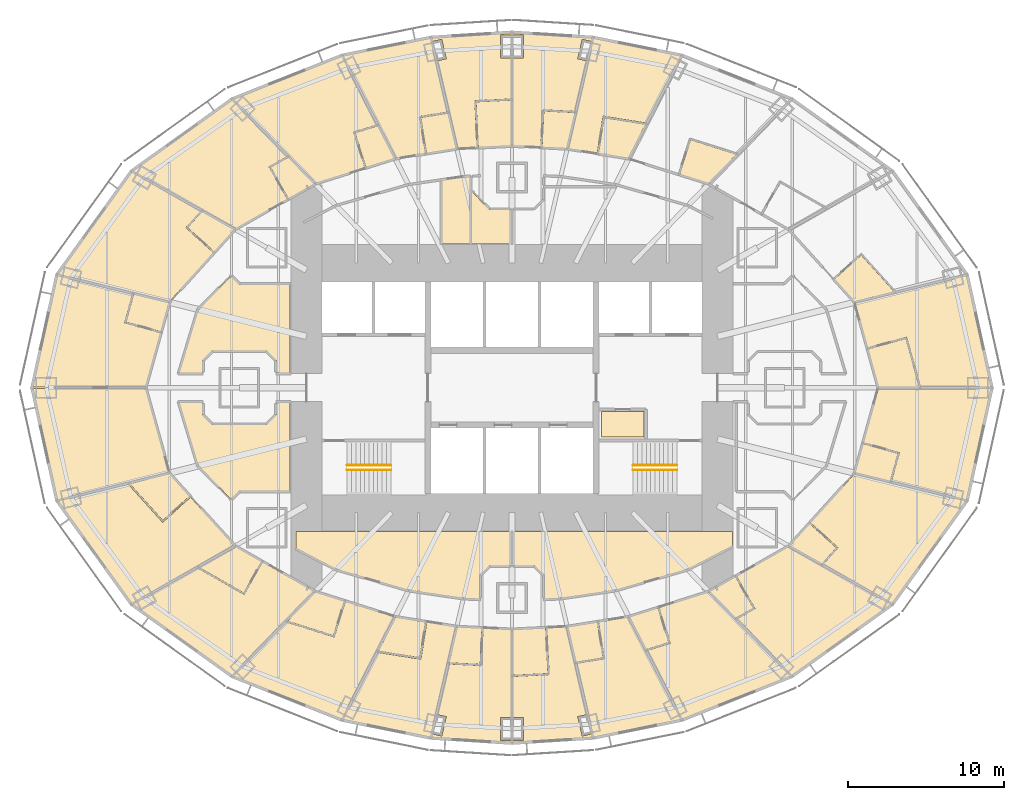
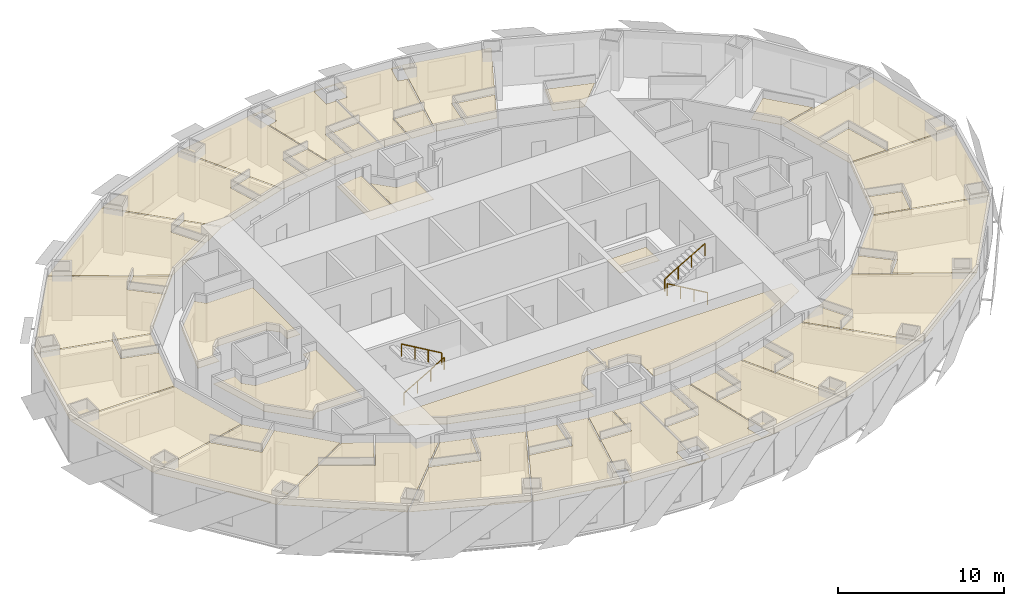
# One storey, part 16 of 17: 50 coverings, 4 railings.
"""IFC4 building model written with IfcOpenShell, lengths in metres."""

from ifc_helpers import new_model, si_unit, direction, frame, origin, origin_2d, place, context, subcontext, project, spatial, polyline, circle, outline, extrude, material, layer, layer_set, type_object, element, save


model = new_model("IFC4")

# Units and contexts
model_context = context("Model", 3, precision=1e-05, world=origin(), true_north=direction((0.0, 1.0)))
body_context = subcontext(model_context, "Body", "Model", "MODEL_VIEW")
ifc_project = project(units=[si_unit("LENGTHUNIT", "METRE"), si_unit("AREAUNIT", "SQUARE_METRE"), si_unit("VOLUMEUNIT", "CUBIC_METRE"), si_unit("PLANEANGLEUNIT", "RADIAN"), si_unit("MASSUNIT", "GRAM", prefix="KILO")], contexts=[model_context])

# Site, building, storey
site_placement = place(None, origin())
site = spatial("IfcSite", under=ifc_project, at=site_placement, CompositionType="ELEMENT")
building_placement = place(site_placement, origin())
building = spatial("IfcBuilding", under=site, at=building_placement, Name="Lantaw Convention Tower", CompositionType="ELEMENT")
storey_placement = place(building_placement, frame((0.0, 0.0, 37.0)))
storey = spatial("IfcBuildingStorey", under=building, at=storey_placement, Name="L06", CompositionType="ELEMENT", Elevation=37.0)

# Railings
ifc_material_1 = material(Name="Stainless steel", Category="steel")
railing_type = type_object("IfcRailingType", Name="Stair handrail", PredefinedType="HANDRAIL", material=ifc_material_1)
railing_1_placement = place(storey_placement, frame((-10.580078125, -5.280029296875, 0.16357421875)))
element("IfcRailing", 1, at=railing_1_placement, inside=storey, type_object=railing_type, Name="Stair handrail S1", PredefinedType="HANDRAIL", context=body_context, shape_type="SweptSolid", body=[
    extrude(circle(Radius=0.02392578125, at=origin_2d()), frame((0.0, 0.0, 0.8759765625), z_axis=(0.863360870873, 0.0, 0.504586966384), x_axis=(0.0, 1.0, 0.0)), (0.0, 0.0, 1.0), 3.2431640625),
    extrude(circle(Radius=0.02099609375, at=origin_2d()), origin(), (0.0, 0.0, 1.0), 0.851806640625),
    extrude(circle(Radius=0.02099609375, at=origin_2d()), frame((0.933349609375, 0.0, 0.54541015625)), (0.0, 0.0, 1.0), 0.851806640625),
    extrude(circle(Radius=0.02099609375, at=origin_2d()), frame((1.86669921875, 0.0, 1.091064453125)), (0.0, 0.0, 1.0), 0.851806640625),
    extrude(circle(Radius=0.02099609375, at=origin_2d()), frame((2.800048828125, 0.0, 1.636474609375)), (0.0, 0.0, 1.0), 0.851806640625),
])
for number, where, name in (
    (2, (-7.780029296875, -4.97998046875, 1.963623046875), "Stair handrail S1"),
    (3, (10.580078125, -5.280029296875, 0.16357421875), "Stair handrail S2"),
):
    element("IfcRailing", number, at=place(storey_placement, frame(where)), inside=storey, type_object=railing_type, Name=name, PredefinedType="HANDRAIL", context=body_context, shape_type="SweptSolid", body=[
        extrude(circle(Radius=0.02392578125, at=origin_2d()), frame((0.0, 0.0, 0.8759765625), z_axis=(-0.863360870873, 0.0, 0.504586966384), x_axis=(0.0, -1.0, 0.0)), (0.0, 0.0, 1.0), 3.2431640625),
        extrude(circle(Radius=0.02099609375, at=origin_2d()), origin(), (0.0, 0.0, 1.0), 0.851806640625),
        extrude(circle(Radius=0.02099609375, at=origin_2d()), frame((-0.933349609375, 0.0, 0.54541015625)), (0.0, 0.0, 1.0), 0.851806640625),
        extrude(circle(Radius=0.02099609375, at=origin_2d()), frame((-1.86669921875, 0.0, 1.091064453125)), (0.0, 0.0, 1.0), 0.851806640625),
        extrude(circle(Radius=0.02099609375, at=origin_2d()), frame((-2.800048828125, 0.0, 1.636474609375)), (0.0, 0.0, 1.0), 0.851806640625),
    ])
railing_2_placement = place(storey_placement, frame((7.780029296875, -4.97998046875, 1.963623046875)))
element("IfcRailing", 4, at=railing_2_placement, inside=storey, type_object=railing_type, Name="Stair handrail S2", PredefinedType="HANDRAIL", context=body_context, shape_type="SweptSolid", body=[
    extrude(circle(Radius=0.02392578125, at=origin_2d()), frame((0.0, 0.0, 0.8759765625), z_axis=(0.863360870873, 0.0, 0.504586966384), x_axis=(0.0, 1.0, 0.0)), (0.0, 0.0, 1.0), 3.2431640625),
    extrude(circle(Radius=0.02099609375, at=origin_2d()), origin(), (0.0, 0.0, 1.0), 0.851806640625),
    extrude(circle(Radius=0.02099609375, at=origin_2d()), frame((0.933349609375, 0.0, 0.54541015625)), (0.0, 0.0, 1.0), 0.851806640625),
    extrude(circle(Radius=0.02099609375, at=origin_2d()), frame((1.86669921875, 0.0, 1.091064453125)), (0.0, 0.0, 1.0), 0.851806640625),
    extrude(circle(Radius=0.02099609375, at=origin_2d()), frame((2.800048828125, 0.0, 1.636474609375)), (0.0, 0.0, 1.0), 0.851806640625),
])

# Coverings
ifc_material_2 = material(Name="Gypsum board on steel suspension grid", Category="steel")
ifc_layer = layer(ifc_material_2, 0.02001953125)
ifc_layer_set = layer_set([ifc_layer], Name="Suspended ceiling")
covering_type = type_object("IfcCoveringType", Name="Suspended ceiling", PredefinedType="CEILING", material=ifc_layer_set)
covering_1_placement = place(storey_placement, frame((0.0, 0.0, 2.85009765625)))
element("IfcCovering", 5, at=covering_1_placement, inside=storey, type_object=covering_type, Name="Staff WC ceiling", PredefinedType="CEILING", context=body_context, shape_type="SweptSolid", body=[
    extrude(outline(polyline([(5.739990234375, -3.159912109375), (8.4599609375, -3.159912109375), (8.4599609375, -1.5400390625), (5.739990234375, -1.5400390625), (5.739990234375, -3.159912109375)])), origin(), (0.0, 0.0, 1.0), 0.02001953125),
])
covering_2_placement = place(storey_placement, frame((0.0, 0.0, 2.85009765625)))
element("IfcCovering", 6, at=covering_2_placement, inside=storey, type_object=covering_type, Name="Accessible WC ceiling", PredefinedType="CEILING", context=body_context, shape_type="SweptSolid", body=[
    extrude(outline(polyline([(-2.610107421875, 9.239990234375), (-0.114990234375, 9.239990234375), (-0.114990234375, 11.43505859375), (-1.441162109375, 11.43505859375), (-2.06494140625, 12.058837890625), (-2.06494140625, 12.071044921875), (-2.610107421875, 12.615234375), (-2.610107421875, 9.239990234375)])), origin(), (0.0, 0.0, 1.0), 0.02001953125),
])
covering_3_placement = place(storey_placement, frame((0.0, 0.0, 2.85009765625)))
element("IfcCovering", 7, at=covering_3_placement, inside=storey, type_object=covering_type, Name="Staff WC ceiling", PredefinedType="CEILING", context=body_context, shape_type="SweptSolid", body=[
    extrude(outline(polyline([(-2.68994140625, 13.536865234375), (-3.1259765625, 13.516845703125), (-4.510009765625, 13.314208984375), (-4.510009765625, 9.239990234375), (-2.68994140625, 9.239990234375), (-2.68994140625, 13.536865234375)])), origin(), (0.0, 0.0, 1.0), 0.02001953125),
])
covering_4_placement = place(storey_placement, frame((0.0, 0.0, 2.85009765625)))
element("IfcCovering", 8, at=covering_4_placement, inside=storey, type_object=covering_type, Name="Housekeeping room ceiling", PredefinedType="CEILING", context=body_context, shape_type="SweptSolid", body=[
    extrude(outline(polyline([(-15.135009765625, 0.93994140625), (-14.239990234375, 0.93994140625), (-14.239990234375, 6.635009765625), (-17.4912109375, 6.635009765625), (-18.02490234375, 7.168701171875), (-20.147705078125, 5.01123046875), (-21.374755859375, 0.93994140625), (-19.864990234375, 0.93994140625), (-19.864990234375, 1.7412109375), (-19.2412109375, 2.364990234375), (-15.7587890625, 2.364990234375), (-15.135009765625, 1.7412109375), (-15.135009765625, 0.93994140625)])), origin(), (0.0, 0.0, 1.0), 0.02001953125),
])
covering_5_placement = place(storey_placement, frame((0.0, 0.0, 2.85009765625)))
element("IfcCovering", 9, at=covering_5_placement, inside=storey, type_object=covering_type, Name="Staff locker room ceiling", PredefinedType="CEILING", context=body_context, shape_type="SweptSolid", body=[
    extrude(outline(polyline([(-11.281005859375, -11.66015625), (-6.63671875, -13.002685546875), (-3.1259765625, -13.516845703125), (-2.06494140625, -13.5654296875), (-2.06494140625, -12.058837890625), (-1.441162109375, -11.43505859375), (-0.0400390625, -11.43505859375), (-0.0400390625, -9.239990234375), (-13.860107421875, -9.239990234375), (-13.860107421875, -10.312744140625), (-11.281005859375, -11.66015625)])), origin(), (0.0, 0.0, 1.0), 0.02001953125),
])
covering_6_placement = place(storey_placement, frame((0.0, 0.0, 2.85009765625)))
element("IfcCovering", 10, at=covering_6_placement, inside=storey, type_object=covering_type, Name="Staff room ceiling", PredefinedType="CEILING", context=body_context, shape_type="SweptSolid", body=[
    extrude(outline(polyline([(-21.374755859375, -0.93994140625), (-20.147705078125, -5.01123046875), (-18.02490234375, -7.168701171875), (-17.4912109375, -6.635009765625), (-14.239990234375, -6.635009765625), (-14.239990234375, -0.93994140625), (-15.135009765625, -0.93994140625), (-15.135009765625, -1.7412109375), (-15.7587890625, -2.364990234375), (-19.2412109375, -2.364990234375), (-19.864990234375, -1.7412109375), (-19.864990234375, -0.93994140625), (-21.374755859375, -0.93994140625)])), origin(), (0.0, 0.0, 1.0), 0.02001953125),
])
covering_7_placement = place(storey_placement, frame((0.0, 0.0, 2.85009765625)))
element("IfcCovering", 11, at=covering_7_placement, inside=storey, type_object=covering_type, Name="Guest ice and vending room ceiling", PredefinedType="CEILING", context=body_context, shape_type="SweptSolid", body=[
    extrude(outline(polyline([(2.06494140625, -13.5654296875), (3.1259765625, -13.516845703125), (6.63671875, -13.002685546875), (11.281005859375, -11.66015625), (14.159912109375, -10.156005859375), (14.159912109375, -9.239990234375), (0.0400390625, -9.239990234375), (0.0400390625, -11.43505859375), (1.441162109375, -11.43505859375), (2.06494140625, -12.058837890625), (2.06494140625, -13.5654296875)])), origin(), (0.0, 0.0, 1.0), 0.02001953125),
])
covering_8_placement = place(storey_placement, frame((0.0, 0.0, 2.85009765625)))
element("IfcCovering", 12, at=covering_8_placement, inside=storey, type_object=covering_type, Name="Accessible bathroom ceiling", PredefinedType="CEILING", context=body_context, shape_type="SweptSolid", body=[
    extrude(outline(polyline([(23.530517578125, 0.0400390625), (26.145263671875, 0.0400390625), (25.28369140625, 3.150390625), (22.855224609375, 2.477783203125), (23.530517578125, 0.0400390625)])), origin(), (0.0, 0.0, 1.0), 0.02001953125),
])
covering_9_placement = place(storey_placement, frame((0.0, 0.0, 2.85009765625)))
element("IfcCovering", 13, at=covering_9_placement, inside=storey, type_object=covering_type, Name="Accessible guest room ceiling", PredefinedType="CEILING", context=body_context, shape_type="SweptSolid", body=[
    extrude(outline(polyline([(22.031494140625, 5.45166015625), (22.833740234375, 2.554931640625), (25.33935546875, 3.2490234375), (26.228271484375, 0.0400390625), (30.77099609375, 0.0400390625), (29.191650390625, 7.205078125), (22.031494140625, 5.45166015625)])), origin(), (0.0, 0.0, 1.0), 0.02001953125),
])
covering_10_placement = place(storey_placement, frame((0.0, 0.0, 2.85009765625)))
element("IfcCovering", 14, at=covering_10_placement, inside=storey, type_object=covering_type, Name="Guest bathroom ceiling", PredefinedType="CEILING", context=body_context, shape_type="SweptSolid", body=[
    extrude(outline(polyline([(21.995361328125, 5.525390625), (24.547607421875, 6.16162109375), (22.418212890625, 8.517333984375), (20.697265625, 6.96142578125), (21.995361328125, 5.525390625)])), origin(), (0.0, 0.0, 1.0), 0.02001953125),
])
covering_11_placement = place(storey_placement, frame((0.0, 0.0, 2.85009765625)))
element("IfcCovering", 15, at=covering_11_placement, inside=storey, type_object=covering_type, Name="Guest bathroom ceiling", PredefinedType="CEILING", context=body_context, shape_type="SweptSolid", body=[
    extrude(outline(polyline([(12.61328125, 13.118896484375), (14.4140625, 14.98388671875), (11.464599609375, 15.913330078125), (10.767333984375, 13.700439453125), (12.61328125, 13.118896484375)])), origin(), (0.0, 0.0, 1.0), 0.02001953125),
])
covering_12_placement = place(storey_placement, frame((0.0, 0.0, 2.85009765625)))
element("IfcCovering", 16, at=covering_12_placement, inside=storey, type_object=covering_type, Name="Guest bathroom ceiling", PredefinedType="CEILING", context=body_context, shape_type="SweptSolid", body=[
    extrude(outline(polyline([(7.4638671875, 14.736572265625), (8.57080078125, 16.9091796875), (5.923095703125, 17.332275390625), (5.55712890625, 15.041259765625), (7.4638671875, 14.736572265625)])), origin(), (0.0, 0.0, 1.0), 0.02001953125),
])
covering_13_placement = place(storey_placement, frame((0.0, 0.0, 2.85009765625)))
element("IfcCovering", 17, at=covering_13_placement, inside=storey, type_object=covering_type, Name="Guest room ceiling", PredefinedType="CEILING", context=body_context, shape_type="SweptSolid", body=[
    extrude(outline(polyline([(5.240966796875, 22.448974609375), (3.58642578125, 15.356201171875), (5.46630859375, 15.0556640625), (5.8466796875, 17.4375), (8.6259765625, 16.993408203125), (10.85205078125, 21.31689453125), (5.240966796875, 22.448974609375)])), origin(), (0.0, 0.0, 1.0), 0.02001953125),
])
covering_14_placement = place(storey_placement, frame((0.0, 0.0, 2.85009765625)))
element("IfcCovering", 18, at=covering_14_placement, inside=storey, type_object=covering_type, Name="Guest bathroom ceiling", PredefinedType="CEILING", context=body_context, shape_type="SweptSolid", body=[
    extrude(outline(polyline([(3.50634765625, 15.364990234375), (4.036376953125, 17.661376953125), (2.04736328125, 17.7607421875), (1.931640625, 15.443603515625), (3.50634765625, 15.364990234375)])), origin(), (0.0, 0.0, 1.0), 0.02001953125),
])
covering_15_placement = place(storey_placement, frame((0.0, 0.0, 2.85009765625)))
element("IfcCovering", 19, at=covering_15_placement, inside=storey, type_object=covering_type, Name="Guest room ceiling", PredefinedType="CEILING", context=body_context, shape_type="SweptSolid", body=[
    extrude(outline(polyline([(0.0400390625, 21.159912109375), (0.0400390625, 15.5380859375), (1.851806640625, 15.447509765625), (1.971435546875, 17.844482421875), (4.060302734375, 17.740234375), (4.816162109375, 20.98046875), (4.21875, 21.118408203125), (4.506591796875, 22.365478515625), (5.10693359375, 22.22705078125), (5.1611328125, 22.458984375), (0.0400390625, 22.781982421875), (0.0400390625, 22.639892578125), (0.739990234375, 22.639892578125), (0.739990234375, 21.159912109375), (0.0400390625, 21.159912109375)])), origin(), (0.0, 0.0, 1.0), 0.02001953125),
])
covering_16_placement = place(storey_placement, frame((0.0, 0.0, 2.85009765625)))
element("IfcCovering", 20, at=covering_16_placement, inside=storey, type_object=covering_type, Name="Accessible bathroom ceiling", PredefinedType="CEILING", context=body_context, shape_type="SweptSolid", body=[
    extrude(outline(polyline([(-0.0400390625, 15.5380859375), (-0.0400390625, 18.461669921875), (-2.304931640625, 18.3486328125), (-2.159423828125, 15.43212890625), (-0.0400390625, 15.5380859375)])), origin(), (0.0, 0.0, 1.0), 0.02001953125),
])
covering_17_placement = place(storey_placement, frame((0.0, 0.0, 2.85009765625)))
element("IfcCovering", 21, at=covering_17_placement, inside=storey, type_object=covering_type, Name="Accessible guest room ceiling", PredefinedType="CEILING", context=body_context, shape_type="SweptSolid", body=[
    extrude(outline(polyline([(-4.816162109375, 20.98046875), (-3.50634765625, 15.364990234375), (-2.2392578125, 15.42822265625), (-2.388916015625, 18.424560546875), (-0.0400390625, 18.541748046875), (-0.0400390625, 21.159912109375), (-0.739990234375, 21.159912109375), (-0.739990234375, 22.639892578125), (-0.0400390625, 22.639892578125), (-0.0400390625, 22.781982421875), (-5.1611328125, 22.458984375), (-5.10693359375, 22.22705078125), (-4.506591796875, 22.365478515625), (-4.21875, 21.118408203125), (-4.816162109375, 20.98046875)])), origin(), (0.0, 0.0, 1.0), 0.02001953125),
])
covering_18_placement = place(storey_placement, frame((0.0, 0.0, 2.85009765625)))
element("IfcCovering", 22, at=covering_18_placement, inside=storey, type_object=covering_type, Name="Guest bathroom ceiling", PredefinedType="CEILING", context=body_context, shape_type="SweptSolid", body=[
    extrude(outline(polyline([(-3.586181640625, 15.356201171875), (-4.109375, 17.621826171875), (-5.845458984375, 17.344482421875), (-5.4794921875, 15.0537109375), (-3.586181640625, 15.356201171875)])), origin(), (0.0, 0.0, 1.0), 0.02001953125),
])
covering_19_placement = place(storey_placement, frame((0.0, 0.0, 2.85009765625)))
element("IfcCovering", 23, at=covering_19_placement, inside=storey, type_object=covering_type, Name="Guest room ceiling", PredefinedType="CEILING", context=body_context, shape_type="SweptSolid", body=[
    extrude(outline(polyline([(-7.4638671875, 14.736572265625), (-5.558349609375, 15.041015625), (-5.93701171875, 17.410888671875), (-4.133056640625, 17.69921875), (-5.240966796875, 22.448974609375), (-10.85205078125, 21.31689453125), (-7.4638671875, 14.736572265625)])), origin(), (0.0, 0.0, 1.0), 0.02001953125),
])
covering_20_placement = place(storey_placement, frame((0.0, 0.0, 2.85009765625)))
element("IfcCovering", 24, at=covering_20_placement, inside=storey, type_object=covering_type, Name="Guest bathroom ceiling", PredefinedType="CEILING", context=body_context, shape_type="SweptSolid", body=[
    extrude(outline(polyline([(-7.543212890625, 14.716552734375), (-8.611328125, 16.812255859375), (-10.06494140625, 16.354248046875), (-9.36767578125, 14.1416015625), (-7.543212890625, 14.716552734375)])), origin(), (0.0, 0.0, 1.0), 0.02001953125),
])
covering_21_placement = place(storey_placement, frame((0.0, 0.0, 2.85009765625)))
element("IfcCovering", 25, at=covering_21_placement, inside=storey, type_object=covering_type, Name="Guest room ceiling", PredefinedType="CEILING", context=body_context, shape_type="SweptSolid", body=[
    extrude(outline(polyline([(-12.61328125, 13.118896484375), (-9.44384765625, 14.117431640625), (-10.165283203125, 16.406494140625), (-8.658203125, 16.88134765625), (-10.930908203125, 21.294921875), (-17.89990234375, 18.52685546875), (-12.61328125, 13.118896484375)])), origin(), (0.0, 0.0, 1.0), 0.02001953125),
])
covering_22_placement = place(storey_placement, frame((0.0, 0.0, 2.85009765625)))
element("IfcCovering", 26, at=covering_22_placement, inside=storey, type_object=covering_type, Name="Guest bathroom ceiling", PredefinedType="CEILING", context=body_context, shape_type="SweptSolid", body=[
    extrude(outline(polyline([(-12.689208984375, 13.08251953125), (-14.352783203125, 14.80517578125), (-15.49560546875, 14.15478515625), (-14.347900390625, 12.138427734375), (-12.689208984375, 13.08251953125)])), origin(), (0.0, 0.0, 1.0), 0.02001953125),
])
covering_23_placement = place(storey_placement, frame((0.0, 0.0, 2.85009765625)))
element("IfcCovering", 27, at=covering_23_placement, inside=storey, type_object=covering_type, Name="Guest room ceiling", PredefinedType="CEILING", context=body_context, shape_type="SweptSolid", body=[
    extrude(outline(polyline([(-17.761474609375, 10.1953125), (-14.41748046875, 12.098876953125), (-15.604736328125, 14.1845703125), (-14.424072265625, 14.856689453125), (-17.97509765625, 18.4892578125), (-24.3603515625, 13.912841796875), (-17.761474609375, 10.1953125)])), origin(), (0.0, 0.0, 1.0), 0.02001953125),
])
covering_24_placement = place(storey_placement, frame((0.0, 0.0, 2.85009765625)))
element("IfcCovering", 28, at=covering_24_placement, inside=storey, type_object=covering_type, Name="Guest bathroom ceiling", PredefinedType="CEILING", context=body_context, shape_type="SweptSolid", body=[
    extrude(outline(polyline([(-17.824462890625, 10.139404296875), (-19.886474609375, 11.317626953125), (-20.826416015625, 10.278076171875), (-19.10546875, 8.72216796875), (-17.824462890625, 10.139404296875)])), origin(), (0.0, 0.0, 1.0), 0.02001953125),
])
covering_25_placement = place(storey_placement, frame((0.0, 0.0, 2.85009765625)))
element("IfcCovering", 29, at=covering_25_placement, inside=storey, type_object=covering_type, Name="Guest room ceiling", PredefinedType="CEILING", context=body_context, shape_type="SweptSolid", body=[
    extrude(outline(polyline([(-21.99560546875, 5.525146484375), (-19.1591796875, 8.662841796875), (-20.939453125, 10.2724609375), (-19.96826171875, 11.3466796875), (-24.423095703125, 13.8564453125), (-29.155029296875, 7.2783203125), (-21.99560546875, 5.525146484375)])), origin(), (0.0, 0.0, 1.0), 0.02001953125),
])
covering_26_placement = place(storey_placement, frame((0.0, 0.0, 2.85009765625)))
element("IfcCovering", 30, at=covering_26_placement, inside=storey, type_object=covering_type, Name="Suite bathroom ceiling", PredefinedType="CEILING", context=body_context, shape_type="SweptSolid", body=[
    extrude(outline(polyline([(-22.031494140625, 5.451904296875), (-24.283203125, 6.01318359375), (-24.779541015625, 4.221923828125), (-22.543701171875, 3.6025390625), (-22.031494140625, 5.451904296875)])), origin(), (0.0, 0.0, 1.0), 0.02001953125),
])
covering_27_placement = place(storey_placement, frame((0.0, 0.0, 2.85009765625)))
element("IfcCovering", 31, at=covering_27_placement, inside=storey, type_object=covering_type, Name="Suite bedroom ceiling", PredefinedType="CEILING", context=body_context, shape_type="SweptSolid", body=[
    extrude(outline(polyline([(-23.530517578125, 0.0400390625), (-22.56494140625, 3.525390625), (-24.8779296875, 4.166015625), (-24.363525390625, 6.022705078125), (-29.191650390625, 7.205078125), (-30.77099609375, 0.0400390625), (-23.530517578125, 0.0400390625)])), origin(), (0.0, 0.0, 1.0), 0.02001953125),
])
covering_28_placement = place(storey_placement, frame((0.0, 0.0, 2.85009765625)))
element("IfcCovering", 32, at=covering_28_placement, inside=storey, type_object=covering_type, Name="Suite living room ceiling", PredefinedType="CEILING", context=body_context, shape_type="SweptSolid", body=[
    extrude(outline(polyline([(-23.530517578125, -0.0400390625), (-30.77099609375, -0.0400390625), (-29.191650390625, -7.205078125), (-22.031494140625, -5.45166015625), (-23.530517578125, -0.0400390625)])), origin(), (0.0, 0.0, 1.0), 0.02001953125),
])
covering_29_placement = place(storey_placement, frame((0.0, 0.0, 2.85009765625)))
element("IfcCovering", 33, at=covering_29_placement, inside=storey, type_object=covering_type, Name="Guest bathroom ceiling", PredefinedType="CEILING", context=body_context, shape_type="SweptSolid", body=[
    extrude(outline(polyline([(-21.995361328125, -5.525390625), (-24.547607421875, -6.16162109375), (-22.418212890625, -8.517333984375), (-20.697265625, -6.96142578125), (-21.995361328125, -5.525390625)])), origin(), (0.0, 0.0, 1.0), 0.02001953125),
])
covering_30_placement = place(storey_placement, frame((0.0, 0.0, 2.85009765625)))
element("IfcCovering", 34, at=covering_30_placement, inside=storey, type_object=covering_type, Name="Guest room ceiling", PredefinedType="CEILING", context=body_context, shape_type="SweptSolid", body=[
    extrude(outline(polyline([(-17.82470703125, -10.13916015625), (-20.635498046875, -7.02978515625), (-22.4248046875, -8.647216796875), (-24.65771484375, -6.17724609375), (-29.155029296875, -7.2783203125), (-24.423095703125, -13.8564453125), (-17.82470703125, -10.13916015625)])), origin(), (0.0, 0.0, 1.0), 0.02001953125),
])
covering_31_placement = place(storey_placement, frame((0.0, 0.0, 2.85009765625)))
element("IfcCovering", 35, at=covering_31_placement, inside=storey, type_object=covering_type, Name="Guest bathroom ceiling", PredefinedType="CEILING", context=body_context, shape_type="SweptSolid", body=[
    extrude(outline(polyline([(-17.76123046875, -10.1953125), (-20.101806640625, -11.53271484375), (-17.2255859375, -13.169921875), (-16.077880859375, -11.15380859375), (-17.76123046875, -10.1953125)])), origin(), (0.0, 0.0, 1.0), 0.02001953125),
])
covering_32_placement = place(storey_placement, frame((0.0, 0.0, 2.85009765625)))
element("IfcCovering", 36, at=covering_32_placement, inside=storey, type_object=covering_type, Name="Guest room ceiling", PredefinedType="CEILING", context=body_context, shape_type="SweptSolid", body=[
    extrude(outline(polyline([(-20.19970703125, -11.56884765625), (-24.3603515625, -13.912841796875), (-17.97509765625, -18.4892578125), (-12.689697265625, -13.08251953125), (-16.00830078125, -11.193359375), (-17.195556640625, -13.279052734375), (-20.19970703125, -11.56884765625)])), origin(), (0.0, 0.0, 1.0), 0.02001953125),
])
covering_33_placement = place(storey_placement, frame((0.0, 0.0, 2.85009765625)))
element("IfcCovering", 37, at=covering_33_placement, inside=storey, type_object=covering_type, Name="Guest bathroom ceiling", PredefinedType="CEILING", context=body_context, shape_type="SweptSolid", body=[
    extrude(outline(polyline([(-12.61328125, -13.118896484375), (-14.4140625, -14.98388671875), (-11.464599609375, -15.913330078125), (-10.767333984375, -13.700439453125), (-12.61328125, -13.118896484375)])), origin(), (0.0, 0.0, 1.0), 0.02001953125),
])
covering_34_placement = place(storey_placement, frame((0.0, 0.0, 2.85009765625)))
element("IfcCovering", 38, at=covering_34_placement, inside=storey, type_object=covering_type, Name="Guest room ceiling", PredefinedType="CEILING", context=body_context, shape_type="SweptSolid", body=[
    extrude(outline(polyline([(-14.493896484375, -15.042724609375), (-17.89990234375, -18.52685546875), (-10.930908203125, -21.294921875), (-7.54345703125, -14.71630859375), (-10.691162109375, -13.724609375), (-11.412353515625, -16.013671875), (-14.493896484375, -15.042724609375)])), origin(), (0.0, 0.0, 1.0), 0.02001953125),
])
covering_35_placement = place(storey_placement, frame((0.0, 0.0, 2.85009765625)))
element("IfcCovering", 39, at=covering_35_placement, inside=storey, type_object=covering_type, Name="Guest bathroom ceiling", PredefinedType="CEILING", context=body_context, shape_type="SweptSolid", body=[
    extrude(outline(polyline([(-7.4638671875, -14.736572265625), (-8.57080078125, -16.9091796875), (-5.923095703125, -17.332275390625), (-5.55712890625, -15.041259765625), (-7.4638671875, -14.736572265625)])), origin(), (0.0, 0.0, 1.0), 0.02001953125),
])
covering_36_placement = place(storey_placement, frame((0.0, 0.0, 2.85009765625)))
element("IfcCovering", 40, at=covering_36_placement, inside=storey, type_object=covering_type, Name="Guest room ceiling", PredefinedType="CEILING", context=body_context, shape_type="SweptSolid", body=[
    extrude(outline(polyline([(-3.58642578125, -15.356201171875), (-5.46630859375, -15.0556640625), (-5.8466796875, -17.4375), (-8.6259765625, -16.993408203125), (-10.85205078125, -21.31689453125), (-5.240966796875, -22.448974609375), (-3.58642578125, -15.356201171875)])), origin(), (0.0, 0.0, 1.0), 0.02001953125),
])
covering_37_placement = place(storey_placement, frame((0.0, 0.0, 2.85009765625)))
element("IfcCovering", 41, at=covering_37_placement, inside=storey, type_object=covering_type, Name="Guest bathroom ceiling", PredefinedType="CEILING", context=body_context, shape_type="SweptSolid", body=[
    extrude(outline(polyline([(-3.50634765625, -15.364990234375), (-4.036376953125, -17.661376953125), (-2.04736328125, -17.7607421875), (-1.931640625, -15.443603515625), (-3.50634765625, -15.364990234375)])), origin(), (0.0, 0.0, 1.0), 0.02001953125),
])
covering_38_placement = place(storey_placement, frame((0.0, 0.0, 2.85009765625)))
element("IfcCovering", 42, at=covering_38_placement, inside=storey, type_object=covering_type, Name="Guest room ceiling", PredefinedType="CEILING", context=body_context, shape_type="SweptSolid", body=[
    extrude(outline(polyline([(-4.060302734375, -17.740234375), (-4.816162109375, -20.98046875), (-4.21875, -21.118408203125), (-4.506591796875, -22.365478515625), (-5.10693359375, -22.22705078125), (-5.1611328125, -22.458984375), (-0.0400390625, -22.781982421875), (-0.0400390625, -22.639892578125), (-0.739990234375, -22.639892578125), (-0.739990234375, -21.159912109375), (-0.0400390625, -21.159912109375), (-0.0400390625, -15.5380859375), (-1.851806640625, -15.447509765625), (-1.971435546875, -17.844482421875), (-4.060302734375, -17.740234375)])), origin(), (0.0, 0.0, 1.0), 0.02001953125),
])
covering_39_placement = place(storey_placement, frame((0.0, 0.0, 2.85009765625)))
element("IfcCovering", 43, at=covering_39_placement, inside=storey, type_object=covering_type, Name="Accessible bathroom ceiling", PredefinedType="CEILING", context=body_context, shape_type="SweptSolid", body=[
    extrude(outline(polyline([(0.0400390625, -15.5380859375), (0.0400390625, -18.461669921875), (2.304931640625, -18.3486328125), (2.159423828125, -15.43212890625), (0.0400390625, -15.5380859375)])), origin(), (0.0, 0.0, 1.0), 0.02001953125),
])
covering_40_placement = place(storey_placement, frame((0.0, 0.0, 2.85009765625)))
element("IfcCovering", 44, at=covering_40_placement, inside=storey, type_object=covering_type, Name="Accessible guest room ceiling", PredefinedType="CEILING", context=body_context, shape_type="SweptSolid", body=[
    extrude(outline(polyline([(2.2392578125, -15.42822265625), (2.388916015625, -18.424560546875), (0.0400390625, -18.541748046875), (0.0400390625, -21.159912109375), (0.739990234375, -21.159912109375), (0.739990234375, -22.639892578125), (0.0400390625, -22.639892578125), (0.0400390625, -22.781982421875), (5.1611328125, -22.458984375), (5.10693359375, -22.22705078125), (4.506591796875, -22.365478515625), (4.21875, -21.118408203125), (4.816162109375, -20.98046875), (3.50634765625, -15.364990234375), (2.2392578125, -15.42822265625)])), origin(), (0.0, 0.0, 1.0), 0.02001953125),
])
covering_41_placement = place(storey_placement, frame((0.0, 0.0, 2.85009765625)))
element("IfcCovering", 45, at=covering_41_placement, inside=storey, type_object=covering_type, Name="Guest bathroom ceiling", PredefinedType="CEILING", context=body_context, shape_type="SweptSolid", body=[
    extrude(outline(polyline([(3.586181640625, -15.356201171875), (4.109375, -17.621826171875), (5.845458984375, -17.344482421875), (5.4794921875, -15.0537109375), (3.586181640625, -15.356201171875)])), origin(), (0.0, 0.0, 1.0), 0.02001953125),
])
covering_42_placement = place(storey_placement, frame((0.0, 0.0, 2.85009765625)))
element("IfcCovering", 46, at=covering_42_placement, inside=storey, type_object=covering_type, Name="Guest room ceiling", PredefinedType="CEILING", context=body_context, shape_type="SweptSolid", body=[
    extrude(outline(polyline([(7.4638671875, -14.736572265625), (5.558349609375, -15.041015625), (5.93701171875, -17.410888671875), (4.133056640625, -17.69921875), (5.240966796875, -22.448974609375), (10.85205078125, -21.31689453125), (7.4638671875, -14.736572265625)])), origin(), (0.0, 0.0, 1.0), 0.02001953125),
])
covering_43_placement = place(storey_placement, frame((0.0, 0.0, 2.85009765625)))
element("IfcCovering", 47, at=covering_43_placement, inside=storey, type_object=covering_type, Name="Guest bathroom ceiling", PredefinedType="CEILING", context=body_context, shape_type="SweptSolid", body=[
    extrude(outline(polyline([(7.543212890625, -14.716552734375), (8.611328125, -16.812255859375), (10.06494140625, -16.354248046875), (9.36767578125, -14.1416015625), (7.543212890625, -14.716552734375)])), origin(), (0.0, 0.0, 1.0), 0.02001953125),
])
covering_44_placement = place(storey_placement, frame((0.0, 0.0, 2.85009765625)))
element("IfcCovering", 48, at=covering_44_placement, inside=storey, type_object=covering_type, Name="Guest room ceiling", PredefinedType="CEILING", context=body_context, shape_type="SweptSolid", body=[
    extrude(outline(polyline([(9.44384765625, -14.117431640625), (10.165283203125, -16.406494140625), (8.658203125, -16.88134765625), (10.930908203125, -21.294921875), (17.89990234375, -18.52685546875), (12.61328125, -13.118896484375), (9.44384765625, -14.117431640625)])), origin(), (0.0, 0.0, 1.0), 0.02001953125),
])
covering_45_placement = place(storey_placement, frame((0.0, 0.0, 2.85009765625)))
element("IfcCovering", 49, at=covering_45_placement, inside=storey, type_object=covering_type, Name="Guest bathroom ceiling", PredefinedType="CEILING", context=body_context, shape_type="SweptSolid", body=[
    extrude(outline(polyline([(12.689208984375, -13.08251953125), (14.352783203125, -14.80517578125), (15.49560546875, -14.15478515625), (14.347900390625, -12.138427734375), (12.689208984375, -13.08251953125)])), origin(), (0.0, 0.0, 1.0), 0.02001953125),
])
covering_46_placement = place(storey_placement, frame((0.0, 0.0, 2.85009765625)))
element("IfcCovering", 50, at=covering_46_placement, inside=storey, type_object=covering_type, Name="Guest room ceiling", PredefinedType="CEILING", context=body_context, shape_type="SweptSolid", body=[
    extrude(outline(polyline([(17.761474609375, -10.1953125), (14.41748046875, -12.098876953125), (15.604736328125, -14.1845703125), (14.424072265625, -14.856689453125), (17.97509765625, -18.4892578125), (24.3603515625, -13.912841796875), (17.761474609375, -10.1953125)])), origin(), (0.0, 0.0, 1.0), 0.02001953125),
])
covering_47_placement = place(storey_placement, frame((0.0, 0.0, 2.85009765625)))
element("IfcCovering", 51, at=covering_47_placement, inside=storey, type_object=covering_type, Name="Guest bathroom ceiling", PredefinedType="CEILING", context=body_context, shape_type="SweptSolid", body=[
    extrude(outline(polyline([(17.824462890625, -10.139404296875), (19.886474609375, -11.317626953125), (20.826416015625, -10.278076171875), (19.10546875, -8.72216796875), (17.824462890625, -10.139404296875)])), origin(), (0.0, 0.0, 1.0), 0.02001953125),
])
covering_48_placement = place(storey_placement, frame((0.0, 0.0, 2.85009765625)))
element("IfcCovering", 52, at=covering_48_placement, inside=storey, type_object=covering_type, Name="Guest room ceiling", PredefinedType="CEILING", context=body_context, shape_type="SweptSolid", body=[
    extrude(outline(polyline([(21.99560546875, -5.525146484375), (19.1591796875, -8.662841796875), (20.939453125, -10.2724609375), (19.96826171875, -11.3466796875), (24.423095703125, -13.8564453125), (29.155029296875, -7.2783203125), (21.99560546875, -5.525146484375)])), origin(), (0.0, 0.0, 1.0), 0.02001953125),
])
covering_49_placement = place(storey_placement, frame((0.0, 0.0, 2.85009765625)))
element("IfcCovering", 53, at=covering_49_placement, inside=storey, type_object=covering_type, Name="Guest bathroom ceiling", PredefinedType="CEILING", context=body_context, shape_type="SweptSolid", body=[
    extrude(outline(polyline([(22.031494140625, -5.451904296875), (24.283203125, -6.01318359375), (24.779541015625, -4.221923828125), (22.543701171875, -3.6025390625), (22.031494140625, -5.451904296875)])), origin(), (0.0, 0.0, 1.0), 0.02001953125),
])
covering_50_placement = place(storey_placement, frame((0.0, 0.0, 2.85009765625)))
element("IfcCovering", 54, at=covering_50_placement, inside=storey, type_object=covering_type, Name="Guest room ceiling", PredefinedType="CEILING", context=body_context, shape_type="SweptSolid", body=[
    extrude(outline(polyline([(22.56494140625, -3.525390625), (24.8779296875, -4.166015625), (24.363525390625, -6.022705078125), (29.191650390625, -7.205078125), (30.77099609375, -0.0400390625), (23.530517578125, -0.0400390625), (22.56494140625, -3.525390625)])), origin(), (0.0, 0.0, 1.0), 0.02001953125),
])

save(model, "model.ifc")
